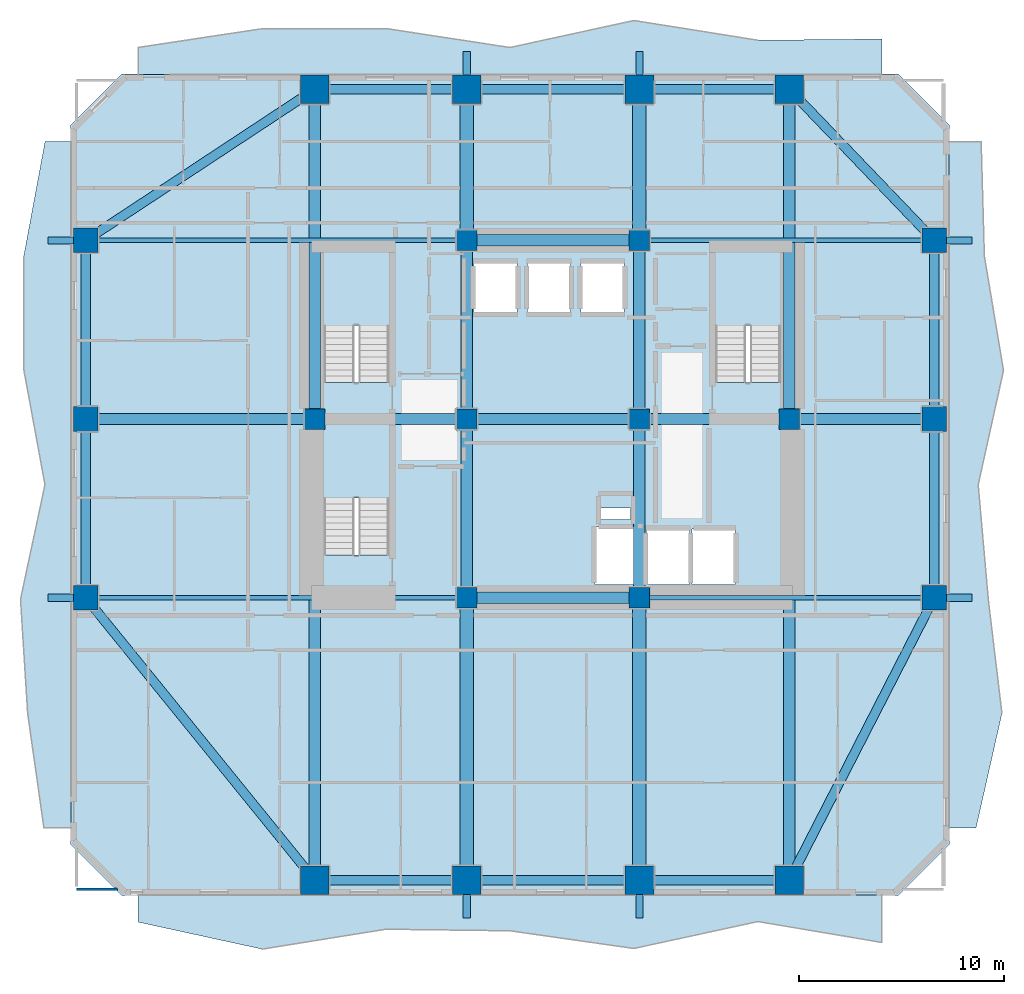
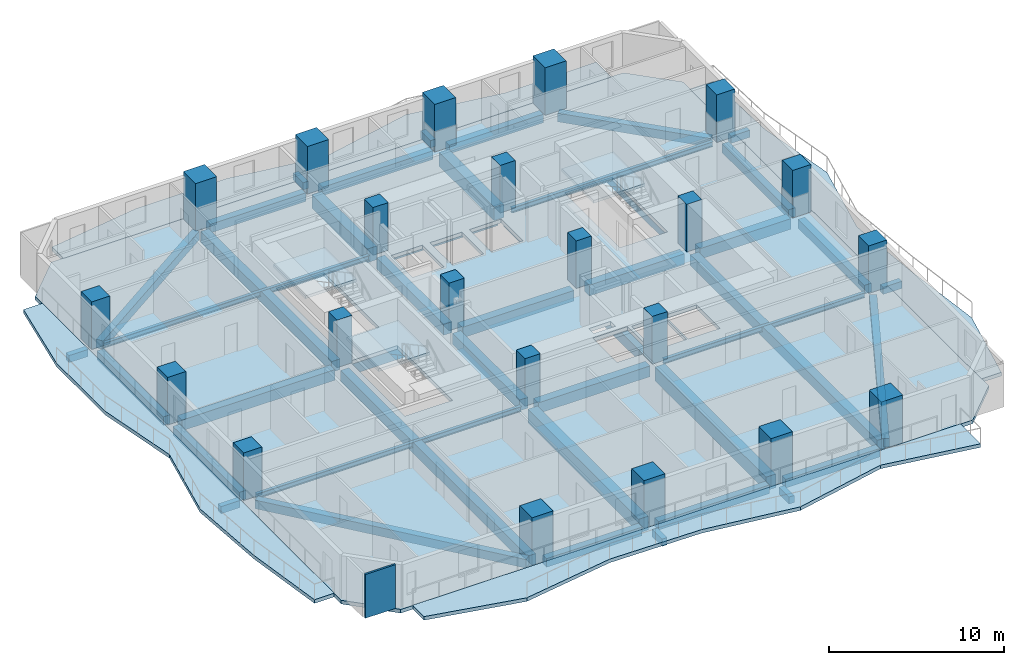
# One storey, part 1 of 11: 45 beams, 22 columns, 8 slabs, 1 wall, 3 elements without a shape of their own.
"""IFC4 building model written with IfcOpenShell, lengths in metres."""

from ifc_helpers import new_model, si_unit, direction, frame, frame_2d, origin, origin_2d, place, context, subcontext, project, spatial, polyline, rectangle, i_section, outline, extrude, material, layer, layer_set, material_profile, profile_set, type_object, element, aggregate, save


model = new_model("IFC4")

# Units and contexts
model_context = context("Model", 3, precision=1e-05, world=origin(), true_north=direction((0.0, 1.0)))
body_context = subcontext(model_context, "Body", "Model", "MODEL_VIEW")
ifc_project = project(units=[si_unit("LENGTHUNIT", "METRE"), si_unit("AREAUNIT", "SQUARE_METRE"), si_unit("VOLUMEUNIT", "CUBIC_METRE"), si_unit("PLANEANGLEUNIT", "RADIAN"), si_unit("MASSUNIT", "GRAM", prefix="KILO")], contexts=[model_context])

# Site, building, storey
site_placement = place(None, origin())
site = spatial("IfcSite", under=ifc_project, at=site_placement, CompositionType="ELEMENT")
building_placement = place(site_placement, origin())
building = spatial("IfcBuilding", under=site, at=building_placement, Name="Solanera Arch Residences", CompositionType="ELEMENT")
storey_placement = place(building_placement, frame((0.0, 0.0, 31.9599609375)))
storey = spatial("IfcBuildingStorey", under=building, at=storey_placement, Name="L08", CompositionType="ELEMENT", Elevation=31.9599609375)

# Columns
ifc_material_1 = material(Name="Concrete C55/67 (f'c = 60 MPa)", Category="concrete")
ifc_material_profile_1 = material_profile(ifc_material_1, rectangle(XDim=1.0, YDim=1.0, at=origin_2d()))
ifc_profile_set_1 = profile_set([ifc_material_profile_1], Name="Concrete C55/67 (f'c = 60 MPa)")
column_type_1 = type_object("IfcColumnType", Name="Structural Column RC-COL-1000X1000", PredefinedType="COLUMN", material=ifc_profile_set_1)
for number, where, z_axis, x_axis, name in (
    (1, (20.800048828125, 22.0, 0.0), (0.0, 0.0, 1.0), (1.0, 0.0, 0.0), "COL-L08-CB-SW"),
    (2, (29.199951171875, 22.0, 0.0), (0.0, 0.0, 1.0), (1.0, 0.0, 0.0), "COL-L08-CB-SE"),
    (3, (20.800048828125, 39.39990234375, 0.0), (0.0, 0.0, 1.0), (1.0, 0.0, 0.0), "COL-L08-CB-NW"),
    (4, (29.199951171875, 39.39990234375, 0.0), (0.0, 0.0, 1.0), (1.0, 0.0, 0.0), "COL-L08-CB-NE"),
    (5, (13.39990234375, 30.699951171875, 0.0), (0.0, 0.0, 1.0), (1.0, 0.0, 0.0), "COL-L08-CB-WW"),
    (6, (36.5, 30.699951171875, 0.0), (0.0, 0.0, 1.0), (1.0, 0.0, 0.0), "COL-L08-CB-EE"),
    (7, (20.800048828125, 30.699951171875, 0.0), (0.0, 0.0, 1.0), (1.0, 0.0, 0.0), "COL-L08-CORE-W"),
    (8, (29.199951171875, 30.699951171875, 0.0), (0.0, 0.0, 1.0), (1.0, 0.0, 0.0), "COL-L08-CORE-E"),
):
    element("IfcColumn", number, at=place(storey_placement, frame(where, z_axis=z_axis, x_axis=x_axis)), inside=storey, type_object=column_type_1, Name=name, PredefinedType="COLUMN", context=body_context, shape_type="SweptSolid", body=[
        extrude(rectangle(XDim=1.0, YDim=1.0, at=origin_2d()), origin(), (0.0, 0.0, 1.0), 3.320068359375),
    ])
ifc_material_2 = material(Name="Concrete C55/67 (f'c = 60 MPa)", Category="concrete")
ifc_material_profile_2 = material_profile(ifc_material_2, rectangle(XDim=1.199951171875, YDim=1.199951171875, at=origin_2d()))
ifc_profile_set_2 = profile_set([ifc_material_profile_2], Name="Concrete C55/67 (f'c = 60 MPa)")
column_type_2 = type_object("IfcColumnType", Name="Structural Column RC-COL-1200X1200", PredefinedType="COLUMN", material=ifc_profile_set_2)
for number, where, z_axis, x_axis, name in (
    (9, (2.25, 22.0, 0.0), (0.0, 0.0, 1.0), (1.0, 0.0, 0.0), "COL-L08-TWR-09"),
    (10, (43.550048828125, 22.0, 0.0), (0.0, 0.0, 1.0), (1.0, 0.0, 0.0), "COL-L08-TWR-10"),
    (11, (2.25, 30.699951171875, 0.0), (0.0, 0.0, 1.0), (1.0, 0.0, 0.0), "COL-L08-TWR-11"),
    (12, (43.550048828125, 30.699951171875, 0.0), (0.0, 0.0, 1.0), (1.0, 0.0, 0.0), "COL-L08-TWR-12"),
    (13, (2.25, 39.39990234375, 0.0), (0.0, 0.0, 1.0), (1.0, 0.0, 0.0), "COL-L08-TWR-13"),
    (14, (43.550048828125, 39.39990234375, 0.0), (0.0, 0.0, 1.0), (1.0, 0.0, 0.0), "COL-L08-TWR-14"),
):
    element("IfcColumn", number, at=place(storey_placement, frame(where, z_axis=z_axis, x_axis=x_axis)), inside=storey, type_object=column_type_2, Name=name, PredefinedType="COLUMN", context=body_context, shape_type="SweptSolid", body=[
        extrude(rectangle(XDim=1.199951171875, YDim=1.199951171875, at=origin_2d()), origin(), (0.0, 0.0, 1.0), 3.320068359375),
    ])
ifc_material_3 = material(Name="Concrete C55/67 (f'c = 60 MPa)", Category="concrete")
ifc_material_profile_3 = material_profile(ifc_material_3, rectangle(XDim=1.39990234375, YDim=1.39990234375, at=origin_2d()))
ifc_profile_set_3 = profile_set([ifc_material_profile_3], Name="Concrete C55/67 (f'c = 60 MPa)")
column_type_3 = type_object("IfcColumnType", Name="Structural Column RC-COL-1400X1400", PredefinedType="COLUMN", material=ifc_profile_set_3)
for number, where, z_axis, x_axis, name in (
    (15, (13.39990234375, 8.25, 0.0), (0.0, 0.0, 1.0), (1.0, 0.0, 0.0), "COL-L08-TWR-01"),
    (16, (13.39990234375, 46.75, 0.0), (0.0, 0.0, 1.0), (1.0, 0.0, 0.0), "COL-L08-TWR-02"),
    (17, (20.800048828125, 8.25, 0.0), (0.0, 0.0, 1.0), (1.0, 0.0, 0.0), "COL-L08-TWR-03"),
    (18, (20.800048828125, 46.75, 0.0), (0.0, 0.0, 1.0), (1.0, 0.0, 0.0), "COL-L08-TWR-04"),
    (19, (29.199951171875, 8.25, 0.0), (0.0, 0.0, 1.0), (1.0, 0.0, 0.0), "COL-L08-TWR-05"),
    (20, (29.199951171875, 46.75, 0.0), (0.0, 0.0, 1.0), (1.0, 0.0, 0.0), "COL-L08-TWR-06"),
    (21, (36.5, 8.25, 0.0), (0.0, 0.0, 1.0), (1.0, 0.0, 0.0), "COL-L08-TWR-07"),
    (22, (36.5, 46.75, 0.0), (0.0, 0.0, 1.0), (1.0, 0.0, 0.0), "COL-L08-TWR-08"),
):
    element("IfcColumn", number, at=place(storey_placement, frame(where, z_axis=z_axis, x_axis=x_axis)), inside=storey, type_object=column_type_3, Name=name, PredefinedType="COLUMN", context=body_context, shape_type="SweptSolid", body=[
        extrude(rectangle(XDim=1.39990234375, YDim=1.39990234375, at=origin_2d()), origin(), (0.0, 0.0, 1.0), 3.320068359375),
    ])

# Beams
ifc_material_4 = material(Name="Concrete C40/50 (f'c = 45 MPa)", Category="concrete")
ifc_material_profile_4 = material_profile(ifc_material_4, rectangle(XDim=0.35009765625, YDim=0.5, at=origin_2d()))
ifc_profile_set_4 = profile_set([ifc_material_profile_4], Name="Concrete C40/50 (f'c = 45 MPa)")
beam_type_1 = type_object("IfcBeamType", Name="BM-BALC-RIB", PredefinedType="BEAM", material=ifc_profile_set_4)
for number, where, z_axis, x_axis, name in (
    (23, (20.800048828125, 6.39990234375, -0.5), (0.0, 1.0, 0.0), (-1.0, 0.0, 0.0), "BM-L08-BRIB-S1"),
    (24, (29.199951171875, 6.39990234375, -0.5), (0.0, 1.0, 0.0), (-1.0, 0.0, 0.0), "BM-L08-BRIB-S2"),
    (25, (20.800048828125, 47.449951171875, -0.5), (0.0, 1.0, 0.0), (-1.0, 0.0, 0.0), "BM-L08-BRIB-N1"),
    (26, (29.199951171875, 47.449951171875, -0.5), (0.0, 1.0, 0.0), (-1.0, 0.0, 0.0), "BM-L08-BRIB-N2"),
):
    element("IfcBeam", number, at=place(storey_placement, frame(where, z_axis=z_axis, x_axis=x_axis)), inside=storey, type_object=beam_type_1, Name=name, PredefinedType="BEAM", context=body_context, shape_type="SweptSolid", body=[
        extrude(rectangle(XDim=0.35009765625, YDim=0.5, at=origin_2d()), origin(), (0.0, 0.0, 1.0), 1.150146484375),
    ])
for number, where, z_axis, x_axis, name in (
    (27, (44.14990234375, 22.0, -0.5), (1.0, 0.0, 0.0), (0.0, 1.0, 0.0), "BM-L08-BRIB-E1"),
    (28, (44.14990234375, 39.39990234375, -0.5), (1.0, 0.0, 0.0), (0.0, 1.0, 0.0), "BM-L08-BRIB-E2"),
    (29, (0.39990234375, 22.0, -0.5), (1.0, 0.0, 0.0), (0.0, 1.0, 0.0), "BM-L08-BRIB-W1"),
    (30, (0.39990234375, 39.39990234375, -0.5), (1.0, 0.0, 0.0), (0.0, 1.0, 0.0), "BM-L08-BRIB-W2"),
):
    element("IfcBeam", number, at=place(storey_placement, frame(where, z_axis=z_axis, x_axis=x_axis)), inside=storey, type_object=beam_type_1, Name=name, PredefinedType="BEAM", context=body_context, shape_type="SweptSolid", body=[
        extrude(rectangle(XDim=0.35009765625, YDim=0.5, at=origin_2d()), origin(), (0.0, 0.0, 1.0), 1.25),
    ])
ifc_material_5 = material(Name="Concrete C40/50 (f'c = 45 MPa)", Category="concrete")
ifc_material_profile_5 = material_profile(ifc_material_5, rectangle(XDim=0.550048828125, YDim=0.75, at=origin_2d()))
ifc_profile_set_5 = profile_set([ifc_material_profile_5], Name="Concrete C40/50 (f'c = 45 MPa)")
beam_type_2 = type_object("IfcBeamType", Name="Primary Beam RC-BM-550X750", PredefinedType="BEAM", material=ifc_profile_set_5)
beam_1_placement = place(storey_placement, frame((20.800048828125, 22.50390625, -0.635009765625), z_axis=(0.0, 1.0, 0.0), x_axis=(-1.0, 0.0, 0.0)))
element("IfcBeam", 31, at=beam_1_placement, inside=storey, type_object=beam_type_2, Name="BM-L08-CC-S-208", PredefinedType="BEAM", context=body_context, shape_type="SweptSolid", body=[
    extrude(rectangle(XDim=0.550048828125, YDim=0.75, at=origin_2d()), origin(), (0.0, 0.0, 1.0), 7.692138671875),
])
beam_2_placement = place(storey_placement, frame((20.800048828125, 31.2041015625, -0.635009765625), z_axis=(0.0, 1.0, 0.0), x_axis=(-1.0, 0.0, 0.0)))
element("IfcBeam", 32, at=beam_2_placement, inside=storey, type_object=beam_type_2, Name="BM-L08-CC-N-208", PredefinedType="BEAM", context=body_context, shape_type="SweptSolid", body=[
    extrude(rectangle(XDim=0.550048828125, YDim=0.75, at=origin_2d()), origin(), (0.0, 0.0, 1.0), 7.69189453125),
])
beam_3_placement = place(storey_placement, frame((29.199951171875, 22.50390625, -0.635009765625), z_axis=(0.0, 1.0, 0.0), x_axis=(-1.0, 0.0, 0.0)))
element("IfcBeam", 33, at=beam_3_placement, inside=storey, type_object=beam_type_2, Name="BM-L08-CC-S-292", PredefinedType="BEAM", context=body_context, shape_type="SweptSolid", body=[
    extrude(rectangle(XDim=0.550048828125, YDim=0.75, at=origin_2d()), origin(), (0.0, 0.0, 1.0), 7.692138671875),
])
beam_4_placement = place(storey_placement, frame((29.199951171875, 31.2041015625, -0.635009765625), z_axis=(0.0, 1.0, 0.0), x_axis=(-1.0, 0.0, 0.0)))
element("IfcBeam", 34, at=beam_4_placement, inside=storey, type_object=beam_type_2, Name="BM-L08-CC-N-292", PredefinedType="BEAM", context=body_context, shape_type="SweptSolid", body=[
    extrude(rectangle(XDim=0.550048828125, YDim=0.75, at=origin_2d()), origin(), (0.0, 0.0, 1.0), 7.69189453125),
])
for number, where, z_axis, x_axis, name in (
    (35, (21.303955078125, 22.0, -0.635009765625), (1.0, 0.0, 0.0), (0.0, 1.0, 0.0), "BM-L08-CC-M-220"),
    (36, (21.303955078125, 30.699951171875, -0.635009765625), (1.0, 0.0, 0.0), (0.0, 1.0, 0.0), "BM-L08-CC-M-307"),
    (37, (21.303955078125, 39.39990234375, -0.635009765625), (1.0, 0.0, 0.0), (0.0, 1.0, 0.0), "BM-L08-CC-M-394"),
):
    element("IfcBeam", number, at=place(storey_placement, frame(where, z_axis=z_axis, x_axis=x_axis)), inside=storey, type_object=beam_type_2, Name=name, PredefinedType="BEAM", context=body_context, shape_type="SweptSolid", body=[
        extrude(rectangle(XDim=0.550048828125, YDim=0.75, at=origin_2d()), origin(), (0.0, 0.0, 1.0), 7.39208984375),
    ])
beam_5_placement = place(storey_placement, frame((13.904052734375, 30.699951171875, -0.635009765625), z_axis=(1.0, 0.0, 0.0), x_axis=(0.0, 1.0, 0.0)))
element("IfcBeam", 38, at=beam_5_placement, inside=storey, type_object=beam_type_2, Name="BM-L08-CC-W", PredefinedType="BEAM", context=body_context, shape_type="SweptSolid", body=[
    extrude(rectangle(XDim=0.550048828125, YDim=0.75, at=origin_2d()), origin(), (0.0, 0.0, 1.0), 6.391845703125),
])
beam_6_placement = place(storey_placement, frame((29.7041015625, 30.699951171875, -0.635009765625), z_axis=(1.0, 0.0, 0.0), x_axis=(0.0, 1.0, 0.0)))
element("IfcBeam", 39, at=beam_6_placement, inside=storey, type_object=beam_type_2, Name="BM-L08-CC-E", PredefinedType="BEAM", context=body_context, shape_type="SweptSolid", body=[
    extrude(rectangle(XDim=0.550048828125, YDim=0.75, at=origin_2d()), origin(), (0.0, 0.0, 1.0), 6.2919921875),
])
beam_7_placement = place(storey_placement, frame((13.39990234375, 8.7900390625, -0.635009765625), z_axis=(0.0, 1.0, 0.0), x_axis=(-1.0, 0.0, 0.0)))
element("IfcBeam", 40, at=beam_7_placement, inside=storey, type_object=beam_type_2, Name="BM-L08-RAD-OS-134", PredefinedType="BEAM", context=body_context, shape_type="SweptSolid", body=[
    extrude(rectangle(XDim=0.550048828125, YDim=0.75, at=origin_2d()), origin(), (0.0, 0.0, 1.0), 21.406005859375),
])
beam_8_placement = place(storey_placement, frame((13.39990234375, 31.2041015625, -0.635009765625), z_axis=(0.0, 1.0, 0.0), x_axis=(-1.0, 0.0, 0.0)))
element("IfcBeam", 41, at=beam_8_placement, inside=storey, type_object=beam_type_2, Name="BM-L08-RAD-ON-134", PredefinedType="BEAM", context=body_context, shape_type="SweptSolid", body=[
    extrude(rectangle(XDim=0.550048828125, YDim=0.75, at=origin_2d()), origin(), (0.0, 0.0, 1.0), 15.005859375),
])
beam_9_placement = place(storey_placement, frame((36.5, 8.7900390625, -0.635009765625), z_axis=(0.0, 1.0, 0.0), x_axis=(-1.0, 0.0, 0.0)))
element("IfcBeam", 42, at=beam_9_placement, inside=storey, type_object=beam_type_2, Name="BM-L08-RAD-OS-365", PredefinedType="BEAM", context=body_context, shape_type="SweptSolid", body=[
    extrude(rectangle(XDim=0.550048828125, YDim=0.75, at=origin_2d()), origin(), (0.0, 0.0, 1.0), 21.406005859375),
])
beam_10_placement = place(storey_placement, frame((36.5, 31.2041015625, -0.635009765625), z_axis=(0.0, 1.0, 0.0), x_axis=(-1.0, 0.0, 0.0)))
element("IfcBeam", 43, at=beam_10_placement, inside=storey, type_object=beam_type_2, Name="BM-L08-RAD-ON-365", PredefinedType="BEAM", context=body_context, shape_type="SweptSolid", body=[
    extrude(rectangle(XDim=0.550048828125, YDim=0.75, at=origin_2d()), origin(), (0.0, 0.0, 1.0), 15.005859375),
])
beam_11_placement = place(storey_placement, frame((2.7900390625, 30.699951171875, -0.635009765625), z_axis=(1.0, 0.0, 0.0), x_axis=(0.0, 1.0, 0.0)))
element("IfcBeam", 44, at=beam_11_placement, inside=storey, type_object=beam_type_2, Name="BM-L08-RAD-MW", PredefinedType="BEAM", context=body_context, shape_type="SweptSolid", body=[
    extrude(rectangle(XDim=0.550048828125, YDim=0.75, at=origin_2d()), origin(), (0.0, 0.0, 1.0), 10.10595703125),
])
beam_12_placement = place(storey_placement, frame((37.00390625, 30.699951171875, -0.635009765625), z_axis=(1.0, 0.0, 0.0), x_axis=(0.0, 1.0, 0.0)))
element("IfcBeam", 45, at=beam_12_placement, inside=storey, type_object=beam_type_2, Name="BM-L08-RAD-ME", PredefinedType="BEAM", context=body_context, shape_type="SweptSolid", body=[
    extrude(rectangle(XDim=0.550048828125, YDim=0.75, at=origin_2d()), origin(), (0.0, 0.0, 1.0), 6.006103515625),
])
ifc_material_6 = material(Name="Concrete C40/50 (f'c = 45 MPa)", Category="concrete")
ifc_material_profile_6 = material_profile(ifc_material_6, rectangle(XDim=0.64990234375, YDim=0.949951171875, at=origin_2d()))
ifc_profile_set_6 = profile_set([ifc_material_profile_6], Name="Concrete C40/50 (f'c = 45 MPa)")
beam_type_3 = type_object("IfcBeamType", Name="Primary Beam RC-BM-650X950", PredefinedType="BEAM", material=ifc_profile_set_6)
beam_13_placement = place(storey_placement, frame((20.800048828125, 8.7900390625, -0.73486328125), z_axis=(0.0, 1.0, 0.0), x_axis=(-1.0, 0.0, 0.0)))
element("IfcBeam", 46, at=beam_13_placement, inside=storey, type_object=beam_type_3, Name="BM-L08-RAD-S-208", PredefinedType="BEAM", context=body_context, shape_type="SweptSolid", body=[
    extrude(rectangle(XDim=0.64990234375, YDim=0.949951171875, at=origin_2d()), origin(), (0.0, 0.0, 1.0), 12.7060546875),
])
beam_14_placement = place(storey_placement, frame((20.800048828125, 39.904052734375, -0.73486328125), z_axis=(0.0, 1.0, 0.0), x_axis=(-1.0, 0.0, 0.0)))
element("IfcBeam", 47, at=beam_14_placement, inside=storey, type_object=beam_type_3, Name="BM-L08-RAD-N-208", PredefinedType="BEAM", context=body_context, shape_type="SweptSolid", body=[
    extrude(rectangle(XDim=0.64990234375, YDim=0.949951171875, at=origin_2d()), origin(), (0.0, 0.0, 1.0), 6.305908203125),
])
beam_15_placement = place(storey_placement, frame((29.199951171875, 8.7900390625, -0.73486328125), z_axis=(0.0, 1.0, 0.0), x_axis=(-1.0, 0.0, 0.0)))
element("IfcBeam", 48, at=beam_15_placement, inside=storey, type_object=beam_type_3, Name="BM-L08-RAD-S-292", PredefinedType="BEAM", context=body_context, shape_type="SweptSolid", body=[
    extrude(rectangle(XDim=0.64990234375, YDim=0.949951171875, at=origin_2d()), origin(), (0.0, 0.0, 1.0), 12.7060546875),
])
beam_16_placement = place(storey_placement, frame((29.199951171875, 39.904052734375, -0.73486328125), z_axis=(0.0, 1.0, 0.0), x_axis=(-1.0, 0.0, 0.0)))
element("IfcBeam", 49, at=beam_16_placement, inside=storey, type_object=beam_type_3, Name="BM-L08-RAD-N-292", PredefinedType="BEAM", context=body_context, shape_type="SweptSolid", body=[
    extrude(rectangle(XDim=0.64990234375, YDim=0.949951171875, at=origin_2d()), origin(), (0.0, 0.0, 1.0), 6.305908203125),
])
ifc_material_7 = material(Name="Steel S355 (ASTM A992 / A572 Grade 50)", Category="steel")
ifc_material_profile_7 = material_profile(ifc_material_7, i_section(OverallWidth=0.205078125, OverallDepth=0.35400390625, WebThickness=0.009521484375, FlangeThickness=0.016845703125, at=origin_2d()))
ifc_profile_set_7 = profile_set([ifc_material_profile_7], Name="Steel S355 (ASTM A992 / A572 Grade 50)")
beam_type_4 = type_object("IfcBeamType", Name="Secondary Joist W360X79", PredefinedType="JOIST", material=ifc_profile_set_7)
beam_17_placement = place(storey_placement, frame((2.7900390625, 22.0, -0.43701171875), z_axis=(1.0, 0.0, 0.0), x_axis=(0.0, 1.0, 0.0)))
element("IfcBeam", 50, at=beam_17_placement, inside=storey, type_object=beam_type_4, Name="BM-L08-RAD-W-220", PredefinedType="JOIST", context=body_context, shape_type="SweptSolid", body=[
    extrude(i_section(OverallWidth=0.205078125, OverallDepth=0.35400390625, WebThickness=0.009521484375, FlangeThickness=0.016845703125, at=origin_2d()), origin(), (0.0, 0.0, 1.0), 17.505859375),
])
beam_18_placement = place(storey_placement, frame((29.7041015625, 22.0, -0.43701171875), z_axis=(1.0, 0.0, 0.0), x_axis=(0.0, 1.0, 0.0)))
element("IfcBeam", 51, at=beam_18_placement, inside=storey, type_object=beam_type_4, Name="BM-L08-RAD-E-220", PredefinedType="JOIST", context=body_context, shape_type="SweptSolid", body=[
    extrude(i_section(OverallWidth=0.205078125, OverallDepth=0.35400390625, WebThickness=0.009521484375, FlangeThickness=0.016845703125, at=origin_2d()), origin(), (0.0, 0.0, 1.0), 13.305908203125),
])
beam_19_placement = place(storey_placement, frame((2.7900390625, 39.39990234375, -0.43701171875), z_axis=(1.0, 0.0, 0.0), x_axis=(0.0, 1.0, 0.0)))
element("IfcBeam", 52, at=beam_19_placement, inside=storey, type_object=beam_type_4, Name="BM-L08-RAD-W-394", PredefinedType="JOIST", context=body_context, shape_type="SweptSolid", body=[
    extrude(i_section(OverallWidth=0.205078125, OverallDepth=0.35400390625, WebThickness=0.009521484375, FlangeThickness=0.016845703125, at=origin_2d()), origin(), (0.0, 0.0, 1.0), 17.505859375),
])
beam_20_placement = place(storey_placement, frame((29.7041015625, 39.39990234375, -0.43701171875), z_axis=(1.0, 0.0, 0.0), x_axis=(0.0, 1.0, 0.0)))
element("IfcBeam", 53, at=beam_20_placement, inside=storey, type_object=beam_type_4, Name="BM-L08-RAD-E-394", PredefinedType="JOIST", context=body_context, shape_type="SweptSolid", body=[
    extrude(i_section(OverallWidth=0.205078125, OverallDepth=0.35400390625, WebThickness=0.009521484375, FlangeThickness=0.016845703125, at=origin_2d()), origin(), (0.0, 0.0, 1.0), 13.305908203125),
])
ifc_material_8 = material(Name="Concrete C40/50 (f'c = 45 MPa)", Category="concrete")
ifc_material_profile_8 = material_profile(ifc_material_8, rectangle(XDim=0.449951171875, YDim=0.60009765625, at=origin_2d()))
ifc_profile_set_8 = profile_set([ifc_material_profile_8], Name="Concrete C40/50 (f'c = 45 MPa)")
beam_type_5 = type_object("IfcBeamType", Name="Spandrel Beam RC-BM-450X600", PredefinedType="SPANDREL", material=ifc_profile_set_8)
for number, where, z_axis, x_axis, name in (
    (54, (13.93994140625, 8.25, -0.56005859375), (1.0, 0.0, 0.0), (0.0, 1.0, 0.0), "BM-L08-SPN-S-1"),
    (55, (13.93994140625, 46.75, -0.56005859375), (1.0, 0.0, 0.0), (0.0, 1.0, 0.0), "BM-L08-SPN-N-1"),
):
    element("IfcBeam", number, at=place(storey_placement, frame(where, z_axis=z_axis, x_axis=x_axis)), inside=storey, type_object=beam_type_5, Name=name, PredefinedType="SPANDREL", context=body_context, shape_type="SweptSolid", body=[
        extrude(rectangle(XDim=0.449951171875, YDim=0.60009765625, at=origin_2d()), origin(), (0.0, 0.0, 1.0), 6.320068359375),
    ])
for number, where, z_axis, x_axis, name in (
    (56, (21.340087890625, 8.25, -0.56005859375), (1.0, 0.0, 0.0), (0.0, 1.0, 0.0), "BM-L08-SPN-S-2"),
    (57, (21.340087890625, 46.75, -0.56005859375), (1.0, 0.0, 0.0), (0.0, 1.0, 0.0), "BM-L08-SPN-N-2"),
):
    element("IfcBeam", number, at=place(storey_placement, frame(where, z_axis=z_axis, x_axis=x_axis)), inside=storey, type_object=beam_type_5, Name=name, PredefinedType="SPANDREL", context=body_context, shape_type="SweptSolid", body=[
        extrude(rectangle(XDim=0.449951171875, YDim=0.60009765625, at=origin_2d()), origin(), (0.0, 0.0, 1.0), 7.31982421875),
    ])
for number, where, z_axis, x_axis, name in (
    (58, (29.739990234375, 8.25, -0.56005859375), (1.0, 0.0, 0.0), (0.0, 1.0, 0.0), "BM-L08-SPN-S-3"),
    (59, (29.739990234375, 46.75, -0.56005859375), (1.0, 0.0, 0.0), (0.0, 1.0, 0.0), "BM-L08-SPN-N-3"),
):
    element("IfcBeam", number, at=place(storey_placement, frame(where, z_axis=z_axis, x_axis=x_axis)), inside=storey, type_object=beam_type_5, Name=name, PredefinedType="SPANDREL", context=body_context, shape_type="SweptSolid", body=[
        extrude(rectangle(XDim=0.449951171875, YDim=0.60009765625, at=origin_2d()), origin(), (0.0, 0.0, 1.0), 6.219970703125),
    ])
for number, where, z_axis, x_axis, name in (
    (60, (2.25, 22.5400390625, -0.56005859375), (0.0, 1.0, 0.0), (-1.0, 0.0, 0.0), "BM-L08-SPN-W-1"),
    (61, (43.550048828125, 22.5400390625, -0.56005859375), (0.0, 1.0, 0.0), (-1.0, 0.0, 0.0), "BM-L08-SPN-E-1"),
):
    element("IfcBeam", number, at=place(storey_placement, frame(where, z_axis=z_axis, x_axis=x_axis)), inside=storey, type_object=beam_type_5, Name=name, PredefinedType="SPANDREL", context=body_context, shape_type="SweptSolid", body=[
        extrude(rectangle(XDim=0.449951171875, YDim=0.60009765625, at=origin_2d()), origin(), (0.0, 0.0, 1.0), 7.619873046875),
    ])
for number, where, z_axis, x_axis, name in (
    (62, (2.25, 31.239990234375, -0.56005859375), (0.0, 1.0, 0.0), (-1.0, 0.0, 0.0), "BM-L08-SPN-W-2"),
    (63, (43.550048828125, 31.239990234375, -0.56005859375), (0.0, 1.0, 0.0), (-1.0, 0.0, 0.0), "BM-L08-SPN-E-2"),
):
    element("IfcBeam", number, at=place(storey_placement, frame(where, z_axis=z_axis, x_axis=x_axis)), inside=storey, type_object=beam_type_5, Name=name, PredefinedType="SPANDREL", context=body_context, shape_type="SweptSolid", body=[
        extrude(rectangle(XDim=0.449951171875, YDim=0.60009765625, at=origin_2d()), origin(), (0.0, 0.0, 1.0), 7.6201171875),
    ])
beam_21_placement = place(storey_placement, frame((13.06005859375, 8.6689453125, -0.56005859375), z_axis=(-0.629827104297, 0.776735359497, 0.0), x_axis=(-0.776735359497, -0.629827104297, 0.0)))
element("IfcBeam", 64, at=beam_21_placement, inside=storey, type_object=beam_type_5, Name="BM-L08-SPN-SW", PredefinedType="SPANDREL", context=body_context, shape_type="SweptSolid", body=[
    extrude(rectangle(XDim=0.449951171875, YDim=0.60009765625, at=origin_2d()), origin(), (0.0, 0.0, 1.0), 16.62353515625),
])
beam_22_placement = place(storey_placement, frame((12.948974609375, 46.452880859375, -0.56005859375), z_axis=(-0.834903365048, -0.550396557976, 0.0), x_axis=(0.550396557976, -0.834903365048, 0.0)))
element("IfcBeam", 65, at=beam_22_placement, inside=storey, type_object=beam_type_5, Name="BM-L08-SPN-NW", PredefinedType="SPANDREL", context=body_context, shape_type="SweptSolid", body=[
    extrude(rectangle(XDim=0.449951171875, YDim=0.60009765625, at=origin_2d()), origin(), (0.0, 0.0, 1.0), 12.2744140625),
])
beam_23_placement = place(storey_placement, frame((36.74609375, 8.73095703125, -0.56005859375), z_axis=(0.456309404993, 0.889821176931, 0.0), x_axis=(-0.889821176931, 0.456309404993, 0.0)))
element("IfcBeam", 66, at=beam_23_placement, inside=storey, type_object=beam_type_5, Name="BM-L08-SPN-SE", PredefinedType="SPANDREL", context=body_context, shape_type="SweptSolid", body=[
    extrude(rectangle(XDim=0.449951171875, YDim=0.60009765625, at=origin_2d()), origin(), (0.0, 0.0, 1.0), 14.37158203125),
])
beam_24_placement = place(storey_placement, frame((36.8740234375, 46.360107421875, -0.56005859375), z_axis=(0.692230884532, -0.721676106366, 0.0), x_axis=(0.721676106366, 0.692230884532, 0.0)))
element("IfcBeam", 67, at=beam_24_placement, inside=storey, type_object=beam_type_5, Name="BM-L08-SPN-NE", PredefinedType="SPANDREL", context=body_context, shape_type="SweptSolid", body=[
    extrude(rectangle(XDim=0.449951171875, YDim=0.60009765625, at=origin_2d()), origin(), (0.0, 0.0, 1.0), 9.10400390625),
])

# Slabs
ifc_material_9 = material(Name="Concrete C40/50 (f'c = 45 MPa)", Category="concrete")
ifc_layer_1 = layer(ifc_material_9, 0.25)
ifc_layer_set_1 = layer_set([ifc_layer_1], Name="Concrete C40/50 (f'c = 45 MPa)")
slab_type_1 = type_object("IfcSlabType", Name="Balcony Slab 250", PredefinedType="FLOOR", material=ifc_layer_set_1)
slab_1_placement = place(storey_placement, frame((0.0, 0.0, -0.25)))
element("IfcSlab", 68, at=slab_1_placement, inside=storey, type_object=slab_type_1, Name="L08 S Rippling Brise-Soleil Balcony Slab", PredefinedType="FLOOR", context=body_context, shape_type="SweptSolid", body=[
    extrude(outline(polyline([(4.800048828125, 6.208984375), (10.8330078125, 4.89404296875), (16.866943359375, 5.865966796875), (22.89990234375, 5.7880859375), (28.93310546875, 4.927001953125), (34.967041015625, 6.238037109375), (41.0, 5.220947265625), (41.0, 7.52001953125), (4.800048828125, 7.52001953125), (4.800048828125, 6.208984375)])), origin(), (0.0, 0.0, 1.0), 0.25),
])
slab_2_placement = place(storey_placement, frame((0.0, 0.0, -0.25)))
element("IfcSlab", 69, at=slab_2_placement, inside=storey, type_object=slab_type_1, Name="L08 N Rippling Brise-Soleil Balcony Slab", PredefinedType="FLOOR", context=body_context, shape_type="SweptSolid", body=[
    extrude(outline(polyline([(41.0, 49.202880859375), (34.967041015625, 49.14306640625), (28.93310546875, 50.10302734375), (22.89990234375, 48.7880859375), (16.866943359375, 49.7119140625), (10.8330078125, 49.702880859375), (4.800048828125, 48.791015625), (4.800048828125, 47.47998046875), (41.0, 47.47998046875), (41.0, 49.202880859375)])), origin(), (0.0, 0.0, 1.0), 0.25),
])
slab_3_placement = place(storey_placement, frame((0.0, 0.0, -0.25)))
element("IfcSlab", 70, at=slab_3_placement, inside=storey, type_object=slab_type_1, Name="L08 E Rippling Brise-Soleil Balcony Slab", PredefinedType="FLOOR", context=body_context, shape_type="SweptSolid", body=[
    extrude(outline(polyline([(45.591064453125, 10.800048828125), (46.85009765625, 16.366943359375), (46.18408203125, 21.93310546875), (45.694091796875, 27.5), (46.926025390625, 33.06689453125), (45.993896484375, 38.633056640625), (45.837890625, 44.199951171875), (44.280029296875, 44.199951171875), (44.280029296875, 10.800048828125), (45.591064453125, 10.800048828125)])), origin(), (0.0, 0.0, 1.0), 0.25),
])
slab_4_placement = place(storey_placement, frame((0.0, 0.0, -0.25)))
element("IfcSlab", 71, at=slab_4_placement, inside=storey, type_object=slab_type_1, Name="L08 W Rippling Brise-Soleil Balcony Slab", PredefinedType="FLOOR", context=body_context, shape_type="SweptSolid", body=[
    extrude(outline(polyline([(0.263916015625, 44.199951171875), (-0.77099609375, 38.633056640625), (-0.761962890625, 33.06689453125), (0.262939453125, 27.5), (-0.928955078125, 21.93310546875), (-0.5791015625, 16.366943359375), (0.208984375, 10.800048828125), (1.52001953125, 10.800048828125), (1.52001953125, 44.199951171875), (0.263916015625, 44.199951171875)])), origin(), (0.0, 0.0, 1.0), 0.25),
])

# Stair, slab
ifc_material_10 = material(Name="Concrete C40/50 (f'c = 45 MPa)", Category="concrete")
stair_type = type_object("IfcStairType", Name="Tower Dogleg Exit Stair 1480", PredefinedType="HALF_TURN_STAIR", material=ifc_material_10)
stair_1_placement = place(storey_placement, origin())
stair_1 = element("IfcStair", 72, at=stair_1_placement, inside=storey, type_object=stair_type, Name="L08 Tower Core Exit Stair 1", PredefinedType="HALF_TURN_STAIR")
ifc_material_11 = material(Name="Concrete C40/50 (f'c = 45 MPa)", Category="concrete")
ifc_layer_2 = layer(ifc_material_11, 0.199951171875)
ifc_layer_set_2 = layer_set([ifc_layer_2], Name="Concrete C40/50 (f'c = 45 MPa)")
slab_type_2 = type_object("IfcSlabType", Name="Stair Half-Landing Slab 200", PredefinedType="LANDING", material=ifc_layer_set_2)
slab_5_placement = place(storey_placement, frame((0.0, 0.0, 1.4599609375)))
slab_5 = element("IfcSlab", 73, at=slab_5_placement, type_object=slab_type_2, Name="ST-T1 landing 1", PredefinedType="LANDING", context=body_context, shape_type="SweptSolid", body=[
    extrude(outline(polyline([(17.1201171875, 35.260009765625), (17.1201171875, 38.919921875), (13.719970703125, 38.919921875), (13.719970703125, 35.260009765625), (17.1201171875, 35.260009765625)])), origin(), (0.0, 0.0, 1.0), 0.2001953125),
])
aggregate(stair_1, [slab_5])

stair_2_placement = place(storey_placement, origin())
stair_2 = element("IfcStair", 74, at=stair_2_placement, inside=storey, type_object=stair_type, Name="L08 Tower Core Exit Stair 2", PredefinedType="HALF_TURN_STAIR")
slab_6_placement = place(storey_placement, frame((0.0, 0.0, 1.4599609375)))
slab_6 = element("IfcSlab", 75, at=slab_6_placement, type_object=slab_type_2, Name="ST-T2 landing 1", PredefinedType="LANDING", context=body_context, shape_type="SweptSolid", body=[
    extrude(outline(polyline([(36.179931640625, 35.260009765625), (36.179931640625, 38.919921875), (32.780029296875, 38.919921875), (32.780029296875, 35.260009765625), (36.179931640625, 35.260009765625)])), origin(), (0.0, 0.0, 1.0), 0.2001953125),
])
aggregate(stair_2, [slab_6])

stair_3_placement = place(storey_placement, origin())
stair_3 = element("IfcStair", 76, at=stair_3_placement, inside=storey, type_object=stair_type, Name="L08 Tower Core Exit Stair 3", PredefinedType="HALF_TURN_STAIR")
slab_7_placement = place(storey_placement, frame((0.0, 0.0, 1.4599609375)))
slab_7 = element("IfcSlab", 77, at=slab_7_placement, type_object=slab_type_2, Name="ST-T3 landing 1", PredefinedType="LANDING", context=body_context, shape_type="SweptSolid", body=[
    extrude(outline(polyline([(17.1201171875, 26.860107421875), (17.1201171875, 30.52001953125), (13.719970703125, 30.52001953125), (13.719970703125, 26.860107421875), (17.1201171875, 26.860107421875)])), origin(), (0.0, 0.0, 1.0), 0.2001953125),
])
aggregate(stair_3, [slab_7])

# Slab
ifc_material_12 = material(Name="Concrete C40/50 (f'c = 45 MPa)", Category="concrete")
ifc_layer_3 = layer(ifc_material_12, 0.260009765625)
ifc_layer_set_3 = layer_set([ifc_layer_3], Name="Concrete C40/50 (f'c = 45 MPa)")
slab_type_3 = type_object("IfcSlabType", Name="Suspended Floor Slab Post-Tensioned 260", PredefinedType="FLOOR", material=ifc_layer_set_3)
slab_8_placement = place(storey_placement, frame((0.0, 0.0, -0.260009765625)))
element("IfcSlab", 78, at=slab_8_placement, inside=storey, type_object=slab_type_3, Name="L08 Tower Post-Tensioned Floor Slab", PredefinedType="FLOOR", context=body_context, shape_type="SweptSolid", body=[
    extrude(outline(polyline([(4.0, 7.5), (41.800048828125, 7.5), (44.300048828125, 10.0), (44.300048828125, 45.0), (41.800048828125, 47.5), (4.0, 47.5), (1.5, 45.0), (1.5, 10.0), (4.0, 7.5)]), holes=[polyline([(13.840087890625, 32.48291015625), (13.840087890625, 38.800048828125), (17.0, 38.800048828125), (17.0, 32.48291015625), (13.840087890625, 32.48291015625)]), polyline([(32.89990234375, 32.48291015625), (32.89990234375, 38.800048828125), (36.06005859375, 38.800048828125), (36.06005859375, 32.48291015625), (32.89990234375, 32.48291015625)]), polyline([(13.840087890625, 24.0830078125), (13.840087890625, 30.39990234375), (17.0, 30.39990234375), (17.0, 24.0830078125), (13.840087890625, 24.0830078125)]), polyline([(21.14990234375, 38.35009765625), (23.25, 38.35009765625), (23.25, 35.85009765625), (21.14990234375, 35.85009765625), (21.14990234375, 38.35009765625)]), polyline([(23.75, 38.35009765625), (25.85009765625, 38.35009765625), (25.85009765625, 35.85009765625), (23.75, 35.85009765625), (23.75, 38.35009765625)]), polyline([(26.35009765625, 38.35009765625), (28.449951171875, 38.35009765625), (28.449951171875, 35.85009765625), (26.35009765625, 35.85009765625), (26.35009765625, 38.35009765625)]), polyline([(29.550048828125, 25.35009765625), (31.64990234375, 25.35009765625), (31.64990234375, 22.64990234375), (29.550048828125, 22.64990234375), (29.550048828125, 25.35009765625)]), polyline([(31.75, 25.35009765625), (33.85009765625, 25.35009765625), (33.85009765625, 22.64990234375), (31.75, 22.64990234375), (31.75, 25.35009765625)]), polyline([(27.050048828125, 25.449951171875), (29.35009765625, 25.449951171875), (29.35009765625, 22.64990234375), (27.050048828125, 22.64990234375), (27.050048828125, 25.449951171875)]), polyline([(27.340087890625, 26.3798828125), (28.760009765625, 26.3798828125), (28.760009765625, 25.820068359375), (27.340087890625, 25.820068359375), (27.340087890625, 26.3798828125)])]), origin(), (0.0, 0.0, 1.0), 0.260009765625),
])

# Wall
ifc_material_13 = material(Name="Fire-Rated Gypsum Stud Partition", Category="gypsum")
ifc_layer_4 = layer(ifc_material_13, 0.1201171875)
ifc_layer_set_4 = layer_set([ifc_layer_4], Name="Fire-Rated Gypsum Stud Partition")
wall_type = type_object("IfcWallType", Name="Unit Drywall Partition 120", PredefinedType="PARTITIONING", material=ifc_layer_set_4)
wall_placement = place(storey_placement, frame((1.800048828125, 7.800048828125, 0.0), z_axis=(0.0, 0.0, 1.0), x_axis=(1.0, 0.0, 0.0)))
element("IfcWall", 79, at=wall_placement, inside=storey, type_object=wall_type, Name="L08 Interior Partition H22 1", PredefinedType="PARTITIONING", context=body_context, shape_type="SweptSolid", body=[
    extrude(rectangle(XDim=2.0009765625, YDim=0.1201171875, at=frame_2d((1.00048828125, 0.0))), origin(), (0.0, 0.0, 1.0), 3.06005859375),
])

save(model, "model.ifc")
